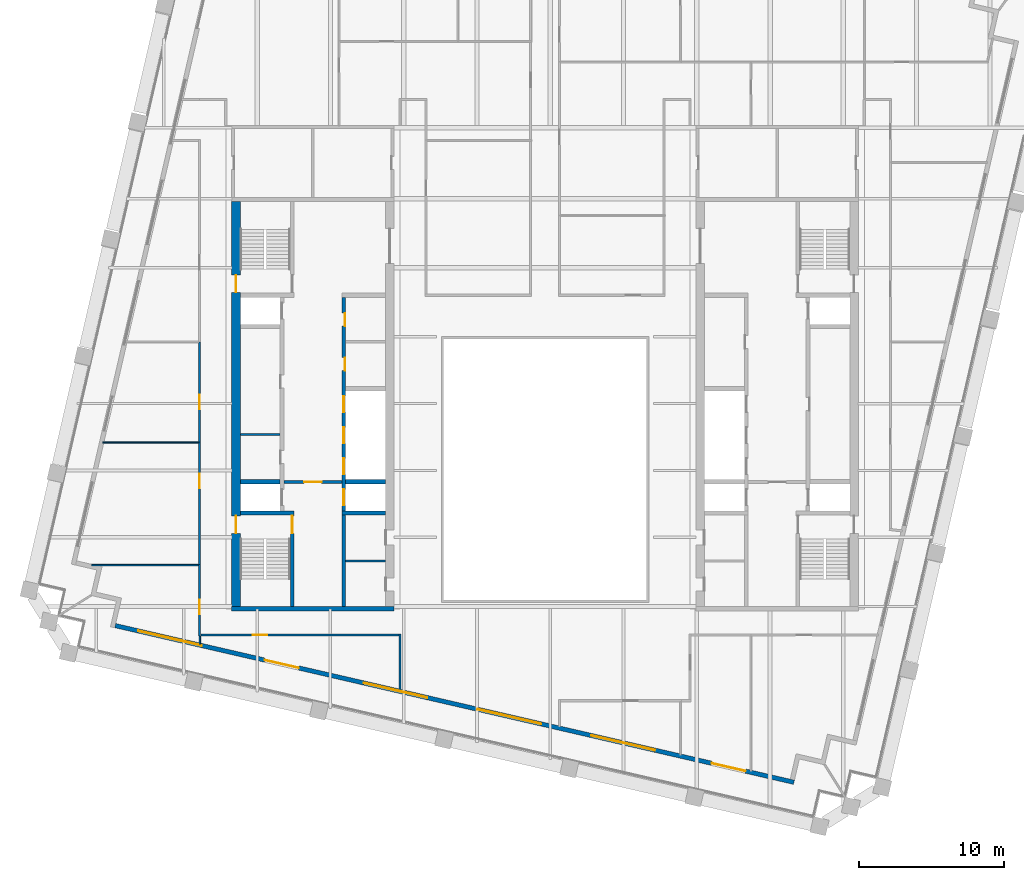
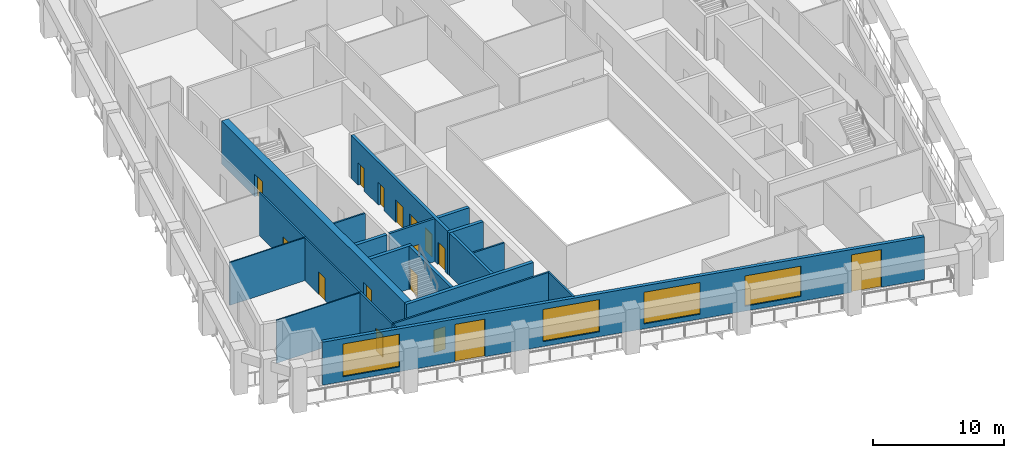
# One storey, part 4 of 10: 20 walls, 16 doors, 4 windows, 20 openings.
"""IFC4 building model written with IfcOpenShell, lengths in metres."""

import ifcopenshell
import ifcopenshell.guid

model = None  # the IFC model being written
_history = None  # IfcOwnerHistory: only IFC2X3 demands one
_inside = {}  # id of a spatial element -> (the spatial element, [elements in it])
_under = {}  # id of a project, library or spatial element -> (it, [spatial elements below it])
_declared = {}  # id of a project -> (the project, [libraries it declares])
_typed = {}  # id of a type object -> (the type object, [elements of that type])
_made_of = {}  # id of a material, layer set ... -> (it, [elements and type objects made of it])


def new_model(schema):
    """Start an empty IFC model of exactly this schema.

    Asked for "IFC4X3", IfcOpenShell would pick the latest addendum, in which some entities
    have other attributes; the version numbers below select the first issue.
    IFC2X3 requires an IfcOwnerHistory on every rooted entity: one is made here for all.
    """
    global model, _history
    if schema == "IFC4X3":
        model = ifcopenshell.file(schema_version=(4, 3, 0, 0))
    else:
        model = ifcopenshell.file(schema=schema)
    _inside.clear()
    _under.clear()
    _declared.clear()
    _typed.clear()
    _made_of.clear()
    _history = None
    if model.schema == "IFC2X3":
        org = make("IfcOrganization", Name="unknown")
        user = make(
            "IfcPersonAndOrganization",
            ThePerson=make("IfcPerson", FamilyName="unknown"),
            TheOrganization=org,
        )
        app = make(
            "IfcApplication",
            ApplicationDeveloper=org,
            Version="unknown",
            ApplicationFullName="unknown",
            ApplicationIdentifier="unknown",
        )
        _history = make(
            "IfcOwnerHistory",
            OwningUser=user,
            OwningApplication=app,
            ChangeAction="ADDED",
            CreationDate=0,
        )
    return model


def make(cls, **values):
    """One entity of the class cls with the attributes given. An attribute that is None is left unset."""
    return model.create_entity(
        cls, **{name: value for name, value in values.items() if value is not None}
    )


def rooted(cls, **values):
    """An entity with a GlobalId (a new one), such as an element, a storey or a relation."""
    return make(cls, GlobalId=ifcopenshell.guid.new(), OwnerHistory=_history, **values)


def si_unit(unit_type, name, prefix=None):
    """IfcSIUnit, for example si_unit("LENGTHUNIT", "METRE", prefix="MILLI")."""
    return make("IfcSIUnit", UnitType=unit_type, Prefix=prefix, Name=name)


def assignment(units):
    """IfcUnitAssignment: the units of a project."""
    return None if units is None else make("IfcUnitAssignment", Units=units)


def point(xyz):
    """IfcCartesianPoint."""
    return None if xyz is None else make("IfcCartesianPoint", Coordinates=xyz)


def direction(xyz):
    """IfcDirection."""
    return None if xyz is None else make("IfcDirection", DirectionRatios=xyz)


def frame(location, z_axis=None, x_axis=None):
    """IfcAxis2Placement3D, a coordinate frame: its origin and axes. An axis left out is left unset."""
    return make(
        "IfcAxis2Placement3D",
        Location=point(location),
        Axis=direction(z_axis),
        RefDirection=direction(x_axis),
    )


def frame_2d(location, x_axis=None):
    """IfcAxis2Placement2D, a coordinate frame in the plane: its origin and x axis."""
    return make(
        "IfcAxis2Placement2D", Location=point(location), RefDirection=direction(x_axis)
    )


def origin():
    """The frame at (0, 0, 0) with its axes left unset."""
    return frame((0.0, 0.0, 0.0))


def place(relative_to, where):
    """IfcLocalPlacement: puts the frame where relative to a parent placement (None: the world)."""
    return make(
        "IfcLocalPlacement", PlacementRelTo=relative_to, RelativePlacement=where
    )


def context(
    kind, dimensions, precision=None, world=None, true_north=None, identifier=None
):
    """IfcGeometricRepresentationContext, for example the 3D "Model" context."""
    return make(
        "IfcGeometricRepresentationContext",
        ContextIdentifier=identifier,
        ContextType=kind,
        CoordinateSpaceDimension=dimensions,
        Precision=precision,
        WorldCoordinateSystem=world,
        TrueNorth=true_north,
    )


def subcontext(parent, identifier, kind, view, scale=None):
    """IfcGeometricRepresentationSubContext, for example "Body" below "Model"."""
    return make(
        "IfcGeometricRepresentationSubContext",
        ContextIdentifier=identifier,
        ContextType=kind,
        ParentContext=parent,
        TargetScale=scale,
        TargetView=view,
    )


def project(units=None, contexts=None):
    """IfcProject with its units and contexts."""
    return rooted(
        "IfcProject",
        Name="project",
        RepresentationContexts=contexts,
        UnitsInContext=assignment(units),
    )


def spatial(cls, under=None, at=None, **own):
    """A site, building, storey or space (cls), placed at a placement, below another one or the project."""
    s = rooted(cls, ObjectPlacement=at, **own)
    if under is not None:
        _under.setdefault(under.id(), (under, []))[1].append(s)
    return s


def profile(cls, at=None, kind="AREA", **sizes):
    """A parametric profile (cls). Its sizes go by their IFC names, for example OverallWidth=200.0."""
    return make(cls, ProfileType=kind, Position=at, **sizes)


def rectangle(**sizes):
    """IfcRectangleProfileDef."""
    return profile("IfcRectangleProfileDef", **sizes)


def extrude(swept, where, along, depth):
    """IfcExtrudedAreaSolid: the profile swept, set in the frame where, extruded along a direction by depth."""
    return make(
        "IfcExtrudedAreaSolid",
        SweptArea=swept,
        Position=where,
        ExtrudedDirection=direction(along),
        Depth=depth,
    )


def shape(context_of_items, identifier, shape_type, items):
    """IfcShapeRepresentation: the items that make up one representation, for example the "Body"."""
    return make(
        "IfcShapeRepresentation",
        ContextOfItems=context_of_items,
        RepresentationIdentifier=identifier,
        RepresentationType=shape_type,
        Items=items,
    )


def material(Name=None, Category=None):
    """IfcMaterial."""
    return make("IfcMaterial", Name=Name, Category=Category)


def layer(
    of_material, thickness, ventilated=None, Name=None, Category=None, Priority=None
):
    """IfcMaterialLayer: one layer of a wall or slab, of a material (None: an air gap)."""
    return make(
        "IfcMaterialLayer",
        Material=of_material,
        LayerThickness=thickness,
        IsVentilated=ventilated,
        Name=Name,
        Category=Category,
        Priority=Priority,
    )


def layer_set(layers, Name=None):
    """IfcMaterialLayerSet."""
    return make("IfcMaterialLayerSet", MaterialLayers=layers, LayerSetName=Name)


def made_of(thing, what):
    """Note that an element or type object is made of a material, layer set ...; save() writes the relation."""
    if what is not None:
        _made_of.setdefault(what.id(), (what, []))[1].append(thing)
    return thing


def type_object(cls, material=None, **own):
    """A type object (cls), such as IfcWallType, which elements share."""
    return made_of(rooted(cls, **own), material)


def element(
    cls,
    number,
    at=None,
    inside=None,
    cuts=None,
    type_object=None,
    material=None,
    context=None,
    identifier="Body",
    shape_type=None,
    held_by="IfcProductDefinitionShape",
    body=None,
    shapes=None,
    **own,
):
    """One element of the class cls, such as IfcWall. Its Tag is "e" and its number.

    at: its placement. inside: the storey or other place that contains it. cuts: it is an
    opening in that element (IfcRelVoidsElement). A single representation is given by context,
    identifier, shape_type and body (its items); several are given by shapes. held_by: the class
    of the entity that holds the representations. save() writes the other relations.
    """
    e = rooted(cls, Tag="e%d" % number, ObjectPlacement=at, **own)
    if body is not None:
        shapes = [shape(context, identifier, shape_type, body)]
    if shapes is not None:
        e.Representation = make(held_by, Representations=shapes)
    if inside is not None:
        _inside.setdefault(inside.id(), (inside, []))[1].append(e)
    if cuts is not None:
        rooted(
            "IfcRelVoidsElement", RelatingBuildingElement=cuts, RelatedOpeningElement=e
        )
    if type_object is not None:
        _typed.setdefault(type_object.id(), (type_object, []))[1].append(e)
    return made_of(e, material)


def fill(opening, filler):
    """IfcRelFillsElement: the door or window that sits in an opening."""
    return rooted(
        "IfcRelFillsElement",
        RelatingOpeningElement=opening,
        RelatedBuildingElement=filler,
    )


def aggregate(whole, parts):
    """IfcRelAggregates: a whole, such as a stair, and the parts it consists of."""
    return rooted("IfcRelAggregates", RelatingObject=whole, RelatedObjects=parts)


def save(model, path):
    """Write the relations noted so far, then the file.

    IfcRelAggregates (storeys below a building ...), IfcRelContainedInSpatialStructure (elements
    in a storey), IfcRelDefinesByType, IfcRelAssociatesMaterial and IfcRelDeclares: one each for
    every whole, place, type object, material and project.
    """
    for whole, parts in _under.values():
        aggregate(whole, parts)
    for where, things in _inside.values():
        rooted(
            "IfcRelContainedInSpatialStructure",
            RelatedElements=things,
            RelatingStructure=where,
        )
    for kind, things in _typed.values():
        rooted("IfcRelDefinesByType", RelatedObjects=things, RelatingType=kind)
    for what, things in _made_of.values():
        rooted("IfcRelAssociatesMaterial", RelatedObjects=things, RelatingMaterial=what)
    for by, libraries in _declared.values():
        rooted("IfcRelDeclares", RelatingContext=by, RelatedDefinitions=libraries)
    model.write(path)


model = new_model("IFC4")

# Units and contexts
model_context = context("Model", 3, precision=1e-05, world=origin(), true_north=direction((0.0, 1.0)))
body_context = subcontext(model_context, "Body", "Model", "MODEL_VIEW")
ifc_project = project(units=[si_unit("LENGTHUNIT", "METRE"), si_unit("AREAUNIT", "SQUARE_METRE"), si_unit("VOLUMEUNIT", "CUBIC_METRE"), si_unit("PLANEANGLEUNIT", "RADIAN"), si_unit("MASSUNIT", "GRAM", prefix="KILO")], contexts=[model_context])

# Site, building, storey
site_placement = place(None, origin())
site = spatial("IfcSite", under=ifc_project, at=site_placement, CompositionType="ELEMENT")
building_placement = place(site_placement, origin())
building = spatial("IfcBuilding", under=site, at=building_placement, Name="Ogive Exchange Tower", CompositionType="ELEMENT")
storey_placement = place(building_placement, frame((0.0, 0.0, 272.39990234375)))
storey = spatial("IfcBuildingStorey", under=building, at=storey_placement, Name="L59", CompositionType="ELEMENT", Elevation=272.39990234375)

# Walls
ifc_material_1 = material(Name="Gypsum board partition")
ifc_layer_1 = layer(ifc_material_1, 0.14990234375)
ifc_layer_set_1 = layer_set([ifc_layer_1], Name="Core room partition 150 gypsum")
wall_type_1 = type_object("IfcWallType", Name="Core room partition 150 gypsum", PredefinedType="PARTITIONING", material=ifc_layer_set_1)
for number, where, z_axis, x_axis, name in (
    (1, (-21.0, 9.39990234375, 0.0), (0.0, 0.0, 1.0), (1.0, 0.0, 0.0), "W row A bay partition 1-1"),
    (2, (-13.75, 0.699951171875, 0.0), (0.0, 0.0, 1.0), (1.0, 0.0, 0.0), "W south room partition"),
):
    element("IfcWall", number, at=place(storey_placement, frame(where, z_axis=z_axis, x_axis=x_axis)), inside=storey, type_object=wall_type_1, Name=name, PredefinedType="PARTITIONING", context=body_context, shape_type="SweptSolid", body=[
        extrude(rectangle(XDim=2.75, YDim=0.14990234375, at=frame_2d((1.375, 0.0))), origin(), (0.0, 0.0, 1.0), 4.0),
    ])

# Wall, opening, door
ifc_material_2 = material(Name="Fire partition EI 60 150")
ifc_layer_2 = layer(ifc_material_2, 0.14990234375)
ifc_layer_set_2 = layer_set([ifc_layer_2], Name="Fire partition EI 60 150")
wall_type_2 = type_object("IfcWallType", Name="Fire partition EI 60 150", PredefinedType="PARTITIONING", material=ifc_layer_set_2)
wall_1_placement = place(storey_placement, frame((-23.800048828125, -4.47509765625, 0.0), z_axis=(0.0, 0.0, 1.0), x_axis=(0.0, 1.0, 0.0)))
wall_1 = element("IfcWall", 3, at=wall_1_placement, inside=storey, type_object=wall_type_2, Name="L59-PWL-002", PredefinedType="PARTITIONING", context=body_context, shape_type="SweptSolid", body=[
    extrude(rectangle(XDim=4.93505859375, YDim=0.14990234375, at=frame_2d((2.467529296875, 0.0))), origin(), (0.0, 0.0, 1.0), 4.0),
])
opening_1_placement = place(wall_1_placement, frame((1.485107421875, 0.0, 0.0)))
opening_1 = element("IfcOpeningElement", 4, at=opening_1_placement, cuts=wall_1, Name="Opening L59-I25", PredefinedType="OPENING", context=body_context, shape_type="SweptSolid", body=[
    extrude(rectangle(XDim=1.0, YDim=2.10009765625, at=frame_2d((0.5, 1.050048828125))), frame((0.0, 0.0849609375, 0.0), z_axis=(0.0, -1.0, 0.0), x_axis=(1.0, 0.0, 0.0)), (0.0, 0.0, 1.0), 0.169921875),
])
ifc_material_3 = material(Name="Fire door FD 30S 1000 x 2100")
door_type_1 = type_object("IfcDoorType", Name="Fire door FD 30S 1000 x 2100", OperationType="NOTDEFINED", PredefinedType="DOOR", material=ifc_material_3)
door_1_placement = place(opening_1_placement, origin())
door_1 = element("IfcDoor", 5, at=door_1_placement, inside=storey, type_object=door_type_1, Name="L59-IDR-025", ObjectType="DT3", OperationType="SINGLE_SWING_RIGHT", OverallHeight=2.10009765625, OverallWidth=1.0, PredefinedType="DOOR", context=body_context, shape_type="SweptSolid", body=[
    extrude(rectangle(XDim=1.0, YDim=2.10009765625, at=frame_2d((0.5, 1.050048828125))), frame((0.0, 0.02490234375, 0.0), z_axis=(0.0, -1.0, 0.0), x_axis=(1.0, 0.0, 0.0)), (0.0, 0.0, 1.0), 0.050048828125),
])
fill(opening_1, door_1)

wall_2_placement = place(storey_placement, frame((-23.800048828125, 0.409912109375, 0.0), z_axis=(0.0, 0.0, 1.0), x_axis=(0.0, 1.0, 0.0)))
wall_2 = element("IfcWall", 6, at=wall_2_placement, inside=storey, type_object=wall_type_2, Name="L59-PWL-004", PredefinedType="PARTITIONING", context=body_context, shape_type="SweptSolid", body=[
    extrude(rectangle(XDim=8.5, YDim=0.14990234375, at=frame_2d((4.25, 0.0))), origin(), (0.0, 0.0, 1.0), 4.0),
])
opening_2_placement = place(wall_2_placement, frame((5.300048828125, 0.0, 0.0)))
opening_2 = element("IfcOpeningElement", 7, at=opening_2_placement, cuts=wall_2, Name="Opening L59-I24", PredefinedType="OPENING", context=body_context, shape_type="SweptSolid", body=[
    extrude(rectangle(XDim=1.0, YDim=2.10009765625, at=frame_2d((0.5, 1.050048828125))), frame((0.0, 0.0849609375, 0.0), z_axis=(0.0, -1.0, 0.0), x_axis=(1.0, 0.0, 0.0)), (0.0, 0.0, 1.0), 0.169921875),
])
door_2_placement = place(opening_2_placement, origin())
door_2 = element("IfcDoor", 8, at=door_2_placement, inside=storey, type_object=door_type_1, Name="L59-IDR-024", ObjectType="DT3", OperationType="SINGLE_SWING_LEFT", OverallHeight=2.10009765625, OverallWidth=1.0, PredefinedType="DOOR", context=body_context, shape_type="SweptSolid", body=[
    extrude(rectangle(XDim=1.0, YDim=2.10009765625, at=frame_2d((0.5, 1.050048828125))), frame((0.0, 0.02490234375, 0.0), z_axis=(0.0, -1.0, 0.0), x_axis=(1.0, 0.0, 0.0)), (0.0, 0.0, 1.0), 0.050048828125),
])
fill(opening_2, door_2)

wall_3_placement = place(storey_placement, frame((-23.800048828125, 8.909912109375, 0.0), z_axis=(0.0, 0.0, 1.0), x_axis=(0.0, 1.0, 0.0)))
wall_3 = element("IfcWall", 9, at=wall_3_placement, inside=storey, type_object=wall_type_2, Name="L59-PWL-006", PredefinedType="PARTITIONING", context=body_context, shape_type="SweptSolid", body=[
    extrude(rectangle(XDim=6.880126953125, YDim=0.14990234375, at=frame_2d((3.43994140625, 0.0))), origin(), (0.0, 0.0, 1.0), 4.0),
])
opening_3_placement = place(wall_3_placement, frame((2.22998046875, 0.0, 0.0)))
opening_3 = element("IfcOpeningElement", 10, at=opening_3_placement, cuts=wall_3, Name="Opening L59-I23", PredefinedType="OPENING", context=body_context, shape_type="SweptSolid", body=[
    extrude(rectangle(XDim=1.0, YDim=2.10009765625, at=frame_2d((0.5, 1.050048828125))), frame((0.0, 0.0849609375, 0.0), z_axis=(0.0, -1.0, 0.0), x_axis=(1.0, 0.0, 0.0)), (0.0, 0.0, 1.0), 0.169921875),
])
door_3_placement = place(opening_3_placement, origin())
door_3 = element("IfcDoor", 11, at=door_3_placement, inside=storey, type_object=door_type_1, Name="L59-IDR-023", ObjectType="DT3", OperationType="SINGLE_SWING_RIGHT", OverallHeight=2.10009765625, OverallWidth=1.0, PredefinedType="DOOR", context=body_context, shape_type="SweptSolid", body=[
    extrude(rectangle(XDim=1.0, YDim=2.10009765625, at=frame_2d((0.5, 1.050048828125))), frame((0.0, 0.02490234375, 0.0), z_axis=(0.0, -1.0, 0.0), x_axis=(1.0, 0.0, 0.0)), (0.0, 0.0, 1.0), 0.050048828125),
])
fill(opening_3, door_3)

# Wall
wall_4_placement = place(storey_placement, frame((-10.0, -8.216064453125, 0.0), z_axis=(0.0, 0.0, 1.0), x_axis=(0.0, 1.0, 0.0)))
element("IfcWall", 12, at=wall_4_placement, inside=storey, type_object=wall_type_2, Name="L59-PWL-020", PredefinedType="PARTITIONING", context=body_context, shape_type="SweptSolid", body=[
    extrude(rectangle(XDim=3.89111328125, YDim=0.14990234375, at=frame_2d((1.945556640625, 0.0))), origin(), (0.0, 0.0, 1.0), 4.0),
])

# Wall, opening, door
wall_5_placement = place(storey_placement, frame((-10.074951171875, -4.39990234375, 0.0), z_axis=(0.0, 0.0, 1.0), x_axis=(-1.0, 0.0, 0.0)))
wall_5 = element("IfcWall", 13, at=wall_5_placement, inside=storey, type_object=wall_type_2, Name="L59-PWL-021", PredefinedType="PARTITIONING", context=body_context, shape_type="SweptSolid", body=[
    extrude(rectangle(XDim=13.64013671875, YDim=0.14990234375, at=frame_2d((6.820068359375, 0.0))), origin(), (0.0, 0.0, 1.0), 4.0),
])
opening_4_placement = place(wall_5_placement, frame((9.06494140625, 0.0, 0.0)))
opening_4 = element("IfcOpeningElement", 14, at=opening_4_placement, cuts=wall_5, Name="Opening L59-I14", PredefinedType="OPENING", context=body_context, shape_type="SweptSolid", body=[
    extrude(rectangle(XDim=1.0, YDim=2.10009765625, at=frame_2d((0.5, 1.050048828125))), frame((0.0, 0.0849609375, 0.0), z_axis=(0.0, -1.0, 0.0), x_axis=(1.0, 0.0, 0.0)), (0.0, 0.0, 1.0), 0.169921875),
])
door_4_placement = place(opening_4_placement, origin())
door_4 = element("IfcDoor", 15, at=door_4_placement, inside=storey, type_object=door_type_1, Name="L59-IDR-014", ObjectType="DT3", OperationType="SINGLE_SWING_LEFT", OverallHeight=2.10009765625, OverallWidth=1.0, PredefinedType="DOOR", context=body_context, shape_type="SweptSolid", body=[
    extrude(rectangle(XDim=1.0, YDim=2.10009765625, at=frame_2d((0.5, 1.050048828125))), frame((0.0, 0.02490234375, 0.0), z_axis=(0.0, -1.0, 0.0), x_axis=(1.0, 0.0, 0.0)), (0.0, 0.0, 1.0), 0.050048828125),
])
fill(opening_4, door_4)

# Wall, openings, doors, windows
ifc_material_4 = material(Name="Precast concrete C40/50", Category="concrete")
ifc_layer_3 = layer(ifc_material_4, 0.300048828125)
ifc_layer_set_3 = layer_set([ifc_layer_3], Name="Limestone-faced wall 300")
wall_type_3 = type_object("IfcWallType", Name="Limestone-faced wall 300", PredefinedType="STANDARD", material=ifc_layer_set_3)
wall_6_placement = place(storey_placement, frame((-29.6162109375, -3.75830078125, 0.0), z_axis=(0.0, 0.0, 1.0), x_axis=(0.974370532314, -0.224949029246, 0.0)))
wall_6 = element("IfcWall", 16, at=wall_6_placement, inside=storey, type_object=wall_type_3, Name="External wall S1", PredefinedType="STANDARD", context=body_context, shape_type="SweptSolid", body=[
    extrude(rectangle(XDim=48.000244140625, YDim=0.300048828125, at=frame_2d((24.0, 0.0))), origin(), (0.0, 0.0, 1.0), 4.0),
])
opening_5_placement = place(wall_6_placement, frame((1.625, 0.0, 0.449951171875)))
opening_5 = element("IfcOpeningElement", 17, at=opening_5_placement, cuts=wall_6, Name="Opening W1", PredefinedType="OPENING", context=body_context, shape_type="SweptSolid", body=[
    extrude(rectangle(XDim=4.5, YDim=3.050048828125, at=frame_2d((2.25, 1.52490234375))), frame((0.0, 0.159912109375, 0.0), z_axis=(0.0, -1.0, 0.0), x_axis=(1.0, 0.0, 0.0)), (0.0, 0.0, 1.0), 0.320068359375),
])
opening_6_placement = place(wall_6_placement, frame((10.574951171875, 0.0, 0.0)))
opening_6 = element("IfcOpeningElement", 18, at=opening_6_placement, cuts=wall_6, Name="Opening D1", PredefinedType="OPENING", context=body_context, shape_type="SweptSolid", body=[
    extrude(rectangle(XDim=2.39990234375, YDim=3.5, at=frame_2d((1.199951171875, 1.75))), frame((0.0, 0.159912109375, 0.0), z_axis=(0.0, -1.0, 0.0), x_axis=(1.0, 0.0, 0.0)), (0.0, 0.0, 1.0), 0.320068359375),
])
opening_7_placement = place(wall_6_placement, frame((17.574951171875, 0.0, 0.449951171875)))
opening_7 = element("IfcOpeningElement", 19, at=opening_7_placement, cuts=wall_6, Name="Opening W1A", PredefinedType="OPENING", context=body_context, shape_type="SweptSolid", body=[
    extrude(rectangle(XDim=4.5, YDim=3.0, at=frame_2d((2.25, 1.5))), frame((0.0, 0.159912109375, 0.0), z_axis=(0.0, -1.0, 0.0), x_axis=(1.0, 0.0, 0.0)), (0.0, 0.0, 1.0), 0.320068359375),
])
opening_8_placement = place(wall_6_placement, frame((25.625, 0.0, 0.449951171875)))
opening_8 = element("IfcOpeningElement", 20, at=opening_8_placement, cuts=wall_6, Name="Opening W1B", PredefinedType="OPENING", context=body_context, shape_type="SweptSolid", body=[
    extrude(rectangle(XDim=4.5, YDim=2.949951171875, at=frame_2d((2.25, 1.47509765625))), frame((0.0, 0.159912109375, 0.0), z_axis=(0.0, -1.0, 0.0), x_axis=(1.0, 0.0, 0.0)), (0.0, 0.0, 1.0), 0.320068359375),
])
opening_9_placement = place(wall_6_placement, frame((33.675048828125, 0.0, 0.449951171875)))
opening_9 = element("IfcOpeningElement", 21, at=opening_9_placement, cuts=wall_6, Name="Opening W1E", PredefinedType="OPENING", context=body_context, shape_type="SweptSolid", body=[
    extrude(rectangle(XDim=4.5, YDim=2.824951171875, at=frame_2d((2.25, 1.41259765625))), frame((0.0, 0.159912109375, 0.0), z_axis=(0.0, -1.0, 0.0), x_axis=(1.0, 0.0, 0.0)), (0.0, 0.0, 1.0), 0.320068359375),
])
opening_10_placement = place(wall_6_placement, frame((42.175048828125, 0.0, 0.0)))
opening_10 = element("IfcOpeningElement", 22, at=opening_10_placement, cuts=wall_6, Name="Opening D1", PredefinedType="OPENING", context=body_context, shape_type="SweptSolid", body=[
    extrude(rectangle(XDim=2.39990234375, YDim=3.5, at=frame_2d((1.199951171875, 1.75))), frame((0.0, 0.159912109375, 0.0), z_axis=(0.0, -1.0, 0.0), x_axis=(1.0, 0.0, 0.0)), (0.0, 0.0, 1.0), 0.320068359375),
])
ifc_material_5 = material(Name="Clear glass in bronze frame", Category="glass")
door_type_2 = type_object("IfcDoorType", Name="Sliding loggia door 2400 x 3500", OperationType="DOUBLE_DOOR_SLIDING", PredefinedType="DOOR", material=ifc_material_5)
door_5_placement = place(opening_6_placement, origin())
door_5 = element("IfcDoor", 23, at=door_5_placement, inside=storey, type_object=door_type_2, Name="Loggia door S01", OperationType="DOUBLE_DOOR_SLIDING", OverallHeight=3.5, OverallWidth=2.39990234375, PredefinedType="DOOR", context=body_context, shape_type="SweptSolid", body=[
    extrude(rectangle(XDim=2.39990234375, YDim=3.5, at=frame_2d((1.199951171875, 1.75))), frame((0.0, 0.02490234375, 0.0), z_axis=(0.0, -1.0, 0.0), x_axis=(1.0, 0.0, 0.0)), (0.0, 0.0, 1.0), 0.050048828125),
])
fill(opening_6, door_5)
door_6_placement = place(opening_10_placement, origin())
door_6 = element("IfcDoor", 24, at=door_6_placement, inside=storey, type_object=door_type_2, Name="Loggia door S05", OperationType="DOUBLE_DOOR_SLIDING", OverallHeight=3.5, OverallWidth=2.39990234375, PredefinedType="DOOR", context=body_context, shape_type="SweptSolid", body=[
    extrude(rectangle(XDim=2.39990234375, YDim=3.5, at=frame_2d((1.199951171875, 1.75))), frame((0.0, 0.02490234375, 0.0), z_axis=(0.0, -1.0, 0.0), x_axis=(1.0, 0.0, 0.0)), (0.0, 0.0, 1.0), 0.050048828125),
])
fill(opening_10, door_6)
window_type_1 = type_object("IfcWindowType", Name="Twin lancet window 4500 x 2825", PartitioningType="DOUBLE_PANEL_VERTICAL", PredefinedType="WINDOW", material=ifc_material_5)
window_1_placement = place(opening_9_placement, origin())
window_1 = element("IfcWindow", 25, at=window_1_placement, inside=storey, type_object=window_type_1, Name="Window S04", OverallHeight=2.824951171875, OverallWidth=4.5, PartitioningType="DOUBLE_PANEL_VERTICAL", PredefinedType="WINDOW", context=body_context, shape_type="SweptSolid", body=[
    extrude(rectangle(XDim=4.5, YDim=2.824951171875, at=frame_2d((2.25, 1.41259765625))), frame((0.0, 0.030029296875, 0.0), z_axis=(0.0, -1.0, 0.0), x_axis=(1.0, 0.0, 0.0)), (0.0, 0.0, 1.0), 0.06005859375),
])
fill(opening_9, window_1)
window_type_2 = type_object("IfcWindowType", Name="Twin lancet window 4500 x 2950", PartitioningType="DOUBLE_PANEL_VERTICAL", PredefinedType="WINDOW", material=ifc_material_5)
window_2_placement = place(opening_8_placement, origin())
window_2 = element("IfcWindow", 26, at=window_2_placement, inside=storey, type_object=window_type_2, Name="Window S03", OverallHeight=2.949951171875, OverallWidth=4.5, PartitioningType="DOUBLE_PANEL_VERTICAL", PredefinedType="WINDOW", context=body_context, shape_type="SweptSolid", body=[
    extrude(rectangle(XDim=4.5, YDim=2.949951171875, at=frame_2d((2.25, 1.47509765625))), frame((0.0, 0.030029296875, 0.0), z_axis=(0.0, -1.0, 0.0), x_axis=(1.0, 0.0, 0.0)), (0.0, 0.0, 1.0), 0.06005859375),
])
fill(opening_8, window_2)
window_type_3 = type_object("IfcWindowType", Name="Twin lancet window 4500 x 3000", PartitioningType="DOUBLE_PANEL_VERTICAL", PredefinedType="WINDOW", material=ifc_material_5)
window_3_placement = place(opening_7_placement, origin())
window_3 = element("IfcWindow", 27, at=window_3_placement, inside=storey, type_object=window_type_3, Name="Window S02", OverallHeight=3.0, OverallWidth=4.5, PartitioningType="DOUBLE_PANEL_VERTICAL", PredefinedType="WINDOW", context=body_context, shape_type="SweptSolid", body=[
    extrude(rectangle(XDim=4.5, YDim=3.0, at=frame_2d((2.25, 1.5))), frame((0.0, 0.030029296875, 0.0), z_axis=(0.0, -1.0, 0.0), x_axis=(1.0, 0.0, 0.0)), (0.0, 0.0, 1.0), 0.06005859375),
])
fill(opening_7, window_3)
window_type_4 = type_object("IfcWindowType", Name="Twin lancet window 4500 x 3050", PartitioningType="DOUBLE_PANEL_VERTICAL", PredefinedType="WINDOW", material=ifc_material_5)
window_4_placement = place(opening_5_placement, origin())
window_4 = element("IfcWindow", 28, at=window_4_placement, inside=storey, type_object=window_type_4, Name="Window S00", OverallHeight=3.050048828125, OverallWidth=4.5, PartitioningType="DOUBLE_PANEL_VERTICAL", PredefinedType="WINDOW", context=body_context, shape_type="SweptSolid", body=[
    extrude(rectangle(XDim=4.5, YDim=3.050048828125, at=frame_2d((2.25, 1.52490234375))), frame((0.0, 0.030029296875, 0.0), z_axis=(0.0, -1.0, 0.0), x_axis=(1.0, 0.0, 0.0)), (0.0, 0.0, 1.0), 0.06005859375),
])
fill(opening_5, window_4)

# Walls
ifc_material_6 = material(Name="Partition 100 gypsum")
ifc_layer_4 = layer(ifc_material_6, 0.10009765625)
ifc_layer_set_4 = layer_set([ifc_layer_4], Name="Partition 100 gypsum")
wall_type_4 = type_object("IfcWallType", Name="Partition 100 gypsum", PredefinedType="PARTITIONING", material=ifc_layer_set_4)
wall_7_placement = place(storey_placement, frame((-23.875, 0.409912109375, 0.0), z_axis=(0.0, 0.0, 1.0), x_axis=(-1.0, 0.0, 0.0)))
element("IfcWall", 29, at=wall_7_placement, inside=storey, type_object=wall_type_4, Name="L59-PWL-003", PredefinedType="PARTITIONING", context=body_context, shape_type="SweptSolid", body=[
    extrude(rectangle(XDim=7.3701171875, YDim=0.10009765625, at=frame_2d((3.68505859375, 0.0))), origin(), (0.0, 0.0, 1.0), 4.0),
])
wall_8_placement = place(storey_placement, frame((-23.875, 8.860107421875, 0.0), z_axis=(0.0, 0.0, 1.0), x_axis=(-1.0, 0.0, 0.0)))
element("IfcWall", 30, at=wall_8_placement, inside=storey, type_object=wall_type_4, Name="L59-PWL-005", PredefinedType="PARTITIONING", context=body_context, shape_type="SweptSolid", body=[
    extrude(rectangle(XDim=6.60498046875, YDim=0.10009765625, at=frame_2d((3.302490234375, 0.0))), origin(), (0.0, 0.0, 1.0), 4.0),
])
wall_9_placement = place(storey_placement, frame((-23.7900390625, -5.031982421875, 0.0), z_axis=(0.0, 0.0, 1.0), x_axis=(0.0, 1.0, 0.0)))
element("IfcWall", 31, at=wall_9_placement, inside=storey, type_object=wall_type_4, Name="L59-PWL-011", PredefinedType="PARTITIONING", context=body_context, shape_type="SweptSolid", body=[
    extrude(rectangle(XDim=0.556884765625, YDim=0.10009765625, at=frame_2d((0.2783203125, 0.0))), origin(), (0.0, 0.0, 1.0), 4.0),
])

# Wall, opening, door
ifc_material_7 = material(Name="Concrete C70/85", Category="concrete")
ifc_layer_5 = layer(ifc_material_7, 0.199951171875)
ifc_layer_set_5 = layer_set([ifc_layer_5], Name="RC core wall 200 C70/85")
wall_type_5 = type_object("IfcWallType", Name="RC core wall 200 C70/85", PredefinedType="SHEAR", material=ifc_layer_set_5)
wall_10_placement = place(storey_placement, frame((-18.0, 6.142822265625, 0.0), z_axis=(0.0, 0.0, 1.0), x_axis=(1.0, 0.0, 0.0)))
wall_10 = element("IfcWall", 32, at=wall_10_placement, inside=storey, type_object=wall_type_5, Name="W firefighting lobby wall", PredefinedType="SHEAR", context=body_context, shape_type="SweptSolid", body=[
    extrude(rectangle(XDim=4.0, YDim=0.199951171875, at=frame_2d((2.0, 0.0))), origin(), (0.0, 0.0, 1.0), 4.0),
])
opening_11_placement = place(wall_10_placement, frame((1.39990234375, 0.0, 0.0)))
opening_11 = element("IfcOpeningElement", 33, at=opening_11_placement, cuts=wall_10, Name="Opening L59-C11", PredefinedType="OPENING", context=body_context, shape_type="SweptSolid", body=[
    extrude(rectangle(XDim=1.199951171875, YDim=2.10009765625, at=frame_2d((0.60009765625, 1.050048828125))), frame((0.0, 0.10986328125, 0.0), z_axis=(0.0, -1.0, 0.0), x_axis=(1.0, 0.0, 0.0)), (0.0, 0.0, 1.0), 0.219970703125),
])
ifc_material_8 = material(Name="Steel fire door", Category="steel")
door_type_3 = type_object("IfcDoorType", Name="Firefighting lobby door FD60 1200 x 2100", OperationType="NOTDEFINED", PredefinedType="DOOR", material=ifc_material_8)
door_7_placement = place(opening_11_placement, frame((1.199951171875, 0.0, 0.0), z_axis=(0.0, 0.0, 1.0), x_axis=(-1.0, 0.0, 0.0)))
door_7 = element("IfcDoor", 34, at=door_7_placement, inside=storey, type_object=door_type_3, Name="Firefighting lobby door", ObjectType="CD3", OperationType="SINGLE_SWING_LEFT", OverallHeight=2.10009765625, OverallWidth=1.199951171875, PredefinedType="DOOR", context=body_context, shape_type="SweptSolid", body=[
    extrude(rectangle(XDim=1.199951171875, YDim=2.10009765625, at=frame_2d((0.60009765625, 1.050048828125))), frame((0.0, 0.02490234375, 0.0), z_axis=(0.0, -1.0, 0.0), x_axis=(1.0, 0.0, 0.0)), (0.0, 0.0, 1.0), 0.050048828125),
])
fill(opening_11, door_7)

ifc_layer_6 = layer(ifc_material_7, 0.25)
ifc_layer_set_6 = layer_set([ifc_layer_6], Name="RC core wall 250 C70/85")
wall_type_6 = type_object("IfcWallType", Name="RC core wall 250 C70/85", PredefinedType="SHEAR", material=ifc_layer_set_6)
wall_11_placement = place(storey_placement, frame((-17.425048828125, -2.449951171875, 0.0), z_axis=(0.0, 0.0, 1.0), x_axis=(0.0, 1.0, 0.0)))
wall_11 = element("IfcWall", 35, at=wall_11_placement, inside=storey, type_object=wall_type_6, Name="W stair S front wall", PredefinedType="SHEAR", context=body_context, shape_type="SweptSolid", body=[
    extrude(rectangle(XDim=6.300048828125, YDim=0.25, at=frame_2d((3.14990234375, 0.0))), origin(), (0.0, 0.0, 1.0), 4.0),
])
opening_12_placement = place(wall_11_placement, frame((5.050048828125, 0.0, 0.0)))
opening_12 = element("IfcOpeningElement", 36, at=opening_12_placement, cuts=wall_11, Name="Opening L59-C13", PredefinedType="OPENING", context=body_context, shape_type="SweptSolid", body=[
    extrude(rectangle(XDim=1.199951171875, YDim=2.10009765625, at=frame_2d((0.60009765625, 1.050048828125))), frame((0.0, 0.135009765625, 0.0), z_axis=(0.0, -1.0, 0.0), x_axis=(1.0, 0.0, 0.0)), (0.0, 0.0, 1.0), 0.27001953125),
])
door_type_4 = type_object("IfcDoorType", Name="Stair door FD90 1200 x 2100", OperationType="NOTDEFINED", PredefinedType="DOOR", material=ifc_material_8)
door_8_placement = place(opening_12_placement, origin())
door_8 = element("IfcDoor", 37, at=door_8_placement, inside=storey, type_object=door_type_4, Name="Stair door", ObjectType="CD5", OperationType="SINGLE_SWING_LEFT", OverallHeight=2.10009765625, OverallWidth=1.199951171875, PredefinedType="DOOR", context=body_context, shape_type="SweptSolid", body=[
    extrude(rectangle(XDim=1.199951171875, YDim=2.10009765625, at=frame_2d((0.60009765625, 1.050048828125))), frame((0.0, 0.02490234375, 0.0), z_axis=(0.0, -1.0, 0.0), x_axis=(1.0, 0.0, 0.0)), (0.0, 0.0, 1.0), 0.050048828125),
])
fill(opening_12, door_8)

# Wall, openings, doors
wall_12_placement = place(storey_placement, frame((-13.875, -2.449951171875, 0.0), z_axis=(0.0, 0.0, 1.0), x_axis=(0.0, 1.0, 0.0)))
wall_12 = element("IfcWall", 38, at=wall_12_placement, inside=storey, type_object=wall_type_6, Name="W row B front wall", PredefinedType="SHEAR", context=body_context, shape_type="SweptSolid", body=[
    extrude(rectangle(XDim=21.300048828125, YDim=0.25, at=frame_2d((10.64990234375, 0.0))), origin(), (0.0, 0.0, 1.0), 4.0),
])
opening_13_placement = place(wall_12_placement, frame((16.2607421875, 0.0, 0.0)))
opening_13 = element("IfcOpeningElement", 39, at=opening_13_placement, cuts=wall_12, Name="Opening L59-C05", PredefinedType="OPENING", context=body_context, shape_type="SweptSolid", body=[
    extrude(rectangle(XDim=0.89990234375, YDim=2.10009765625, at=frame_2d((0.449951171875, 1.050048828125))), frame((0.0, 0.135009765625, 0.0), z_axis=(0.0, -1.0, 0.0), x_axis=(1.0, 0.0, 0.0)), (0.0, 0.0, 1.0), 0.27001953125),
])
opening_14_placement = place(wall_12_placement, frame((19.324951171875, 0.0, 0.0)))
opening_14 = element("IfcOpeningElement", 40, at=opening_14_placement, cuts=wall_12, Name="Opening L59-C06", PredefinedType="OPENING", context=body_context, shape_type="SweptSolid", body=[
    extrude(rectangle(XDim=0.89990234375, YDim=2.10009765625, at=frame_2d((0.449951171875, 1.050048828125))), frame((0.0, 0.135009765625, 0.0), z_axis=(0.0, -1.0, 0.0), x_axis=(1.0, 0.0, 0.0)), (0.0, 0.0, 1.0), 0.27001953125),
])
opening_15_placement = place(wall_12_placement, frame((6.971435546875, 0.0, 0.0)))
opening_15 = element("IfcOpeningElement", 41, at=opening_15_placement, cuts=wall_12, Name="Opening L59-C07", PredefinedType="OPENING", context=body_context, shape_type="SweptSolid", body=[
    extrude(rectangle(XDim=1.10009765625, YDim=2.10009765625, at=frame_2d((0.550048828125, 1.050048828125))), frame((0.0, 0.135009765625, 0.0), z_axis=(0.0, -1.0, 0.0), x_axis=(1.0, 0.0, 0.0)), (0.0, 0.0, 1.0), 0.27001953125),
])
opening_16_placement = place(wall_12_placement, frame((9.1142578125, 0.0, 0.0)))
opening_16 = element("IfcOpeningElement", 42, at=opening_16_placement, cuts=wall_12, Name="Opening L59-C08", PredefinedType="OPENING", context=body_context, shape_type="SweptSolid", body=[
    extrude(rectangle(XDim=1.10009765625, YDim=2.10009765625, at=frame_2d((0.550048828125, 1.050048828125))), frame((0.0, 0.135009765625, 0.0), z_axis=(0.0, -1.0, 0.0), x_axis=(1.0, 0.0, 0.0)), (0.0, 0.0, 1.0), 0.27001953125),
])
opening_17_placement = place(wall_12_placement, frame((11.257080078125, 0.0, 0.0)))
opening_17 = element("IfcOpeningElement", 43, at=opening_17_placement, cuts=wall_12, Name="Opening L59-C09", PredefinedType="OPENING", context=body_context, shape_type="SweptSolid", body=[
    extrude(rectangle(XDim=1.10009765625, YDim=2.10009765625, at=frame_2d((0.550048828125, 1.050048828125))), frame((0.0, 0.135009765625, 0.0), z_axis=(0.0, -1.0, 0.0), x_axis=(1.0, 0.0, 0.0)), (0.0, 0.0, 1.0), 0.27001953125),
])
opening_18_placement = place(wall_12_placement, frame((13.39990234375, 0.0, 0.0)))
opening_18 = element("IfcOpeningElement", 44, at=opening_18_placement, cuts=wall_12, Name="Opening L59-C10", PredefinedType="OPENING", context=body_context, shape_type="SweptSolid", body=[
    extrude(rectangle(XDim=1.10009765625, YDim=2.10009765625, at=frame_2d((0.550048828125, 1.050048828125))), frame((0.0, 0.135009765625, 0.0), z_axis=(0.0, -1.0, 0.0), x_axis=(1.0, 0.0, 0.0)), (0.0, 0.0, 1.0), 0.27001953125),
])
ifc_material_9 = material(Name="Stainless steel", Category="steel")
door_type_5 = type_object("IfcDoorType", Name="Lift landing door FD90 1100 x 2100", OperationType="SLIDING_TO_LEFT", PredefinedType="DOOR", material=ifc_material_9)
door_9_placement = place(opening_15_placement, origin())
door_9 = element("IfcDoor", 45, at=door_9_placement, inside=storey, type_object=door_type_5, Name="Lift landing door SV1", ObjectType="LD", OperationType="SLIDING_TO_LEFT", OverallHeight=2.10009765625, OverallWidth=1.10009765625, PredefinedType="DOOR", context=body_context, shape_type="SweptSolid", body=[
    extrude(rectangle(XDim=1.10009765625, YDim=2.10009765625, at=frame_2d((0.550048828125, 1.050048828125))), frame((0.0, 0.02490234375, 0.0), z_axis=(0.0, -1.0, 0.0), x_axis=(1.0, 0.0, 0.0)), (0.0, 0.0, 1.0), 0.050048828125),
])
fill(opening_15, door_9)
door_10_placement = place(opening_16_placement, origin())
door_10 = element("IfcDoor", 46, at=door_10_placement, inside=storey, type_object=door_type_5, Name="Lift landing door W-M1", ObjectType="LD", OperationType="SLIDING_TO_LEFT", OverallHeight=2.10009765625, OverallWidth=1.10009765625, PredefinedType="DOOR", context=body_context, shape_type="SweptSolid", body=[
    extrude(rectangle(XDim=1.10009765625, YDim=2.10009765625, at=frame_2d((0.550048828125, 1.050048828125))), frame((0.0, 0.02490234375, 0.0), z_axis=(0.0, -1.0, 0.0), x_axis=(1.0, 0.0, 0.0)), (0.0, 0.0, 1.0), 0.050048828125),
])
fill(opening_16, door_10)
door_11_placement = place(opening_17_placement, origin())
door_11 = element("IfcDoor", 47, at=door_11_placement, inside=storey, type_object=door_type_5, Name="Lift landing door W-M2", ObjectType="LD", OperationType="SLIDING_TO_LEFT", OverallHeight=2.10009765625, OverallWidth=1.10009765625, PredefinedType="DOOR", context=body_context, shape_type="SweptSolid", body=[
    extrude(rectangle(XDim=1.10009765625, YDim=2.10009765625, at=frame_2d((0.550048828125, 1.050048828125))), frame((0.0, 0.02490234375, 0.0), z_axis=(0.0, -1.0, 0.0), x_axis=(1.0, 0.0, 0.0)), (0.0, 0.0, 1.0), 0.050048828125),
])
fill(opening_17, door_11)
door_12_placement = place(opening_18_placement, origin())
door_12 = element("IfcDoor", 48, at=door_12_placement, inside=storey, type_object=door_type_5, Name="Lift landing door W-M3", ObjectType="LD", OperationType="SLIDING_TO_LEFT", OverallHeight=2.10009765625, OverallWidth=1.10009765625, PredefinedType="DOOR", context=body_context, shape_type="SweptSolid", body=[
    extrude(rectangle(XDim=1.10009765625, YDim=2.10009765625, at=frame_2d((0.550048828125, 1.050048828125))), frame((0.0, 0.02490234375, 0.0), z_axis=(0.0, -1.0, 0.0), x_axis=(1.0, 0.0, 0.0)), (0.0, 0.0, 1.0), 0.050048828125),
])
fill(opening_18, door_12)
door_type_6 = type_object("IfcDoorType", Name="Riser door FD60 900 x 2100", OperationType="NOTDEFINED", PredefinedType="DOOR", material=ifc_material_8)
door_13_placement = place(opening_13_placement, frame((0.89990234375, -0.2001953125, 0.0), z_axis=(0.0, 0.0, 1.0), x_axis=(-1.0, 0.0, 0.0)))
door_13 = element("IfcDoor", 49, at=door_13_placement, inside=storey, type_object=door_type_6, Name="Riser door", ObjectType="CD2", OperationType="SINGLE_SWING_LEFT", OverallHeight=2.10009765625, OverallWidth=0.89990234375, PredefinedType="DOOR", context=body_context, shape_type="SweptSolid", body=[
    extrude(rectangle(XDim=0.89990234375, YDim=2.10009765625, at=frame_2d((0.449951171875, 1.050048828125))), frame((0.0, -0.0751953125, 0.0), z_axis=(0.0, -1.0, 0.0), x_axis=(1.0, 0.0, 0.0)), (0.0, 0.0, 1.0), 0.050048828125),
])
fill(opening_13, door_13)
door_14_placement = place(opening_14_placement, frame((0.89990234375, -0.2001953125, 0.0), z_axis=(0.0, 0.0, 1.0), x_axis=(-1.0, 0.0, 0.0)))
door_14 = element("IfcDoor", 50, at=door_14_placement, inside=storey, type_object=door_type_6, Name="Riser door", ObjectType="CD2", OperationType="SINGLE_SWING_LEFT", OverallHeight=2.10009765625, OverallWidth=0.89990234375, PredefinedType="DOOR", context=body_context, shape_type="SweptSolid", body=[
    extrude(rectangle(XDim=0.89990234375, YDim=2.10009765625, at=frame_2d((0.449951171875, 1.050048828125))), frame((0.0, -0.0751953125, 0.0), z_axis=(0.0, -1.0, 0.0), x_axis=(1.0, 0.0, 0.0)), (0.0, 0.0, 1.0), 0.050048828125),
])
fill(opening_14, door_14)

# Walls
ifc_layer_7 = layer(ifc_material_7, 0.300048828125)
ifc_layer_set_7 = layer_set([ifc_layer_7], Name="RC core wall 300 C70/85")
wall_type_7 = type_object("IfcWallType", Name="RC core wall 300 C70/85", PredefinedType="SHEAR", material=ifc_layer_set_7)
wall_13_placement = place(storey_placement, frame((-21.60009765625, -2.60009765625, 0.0), z_axis=(0.0, 0.0, 1.0), x_axis=(1.0, 0.0, 0.0)))
element("IfcWall", 51, at=wall_13_placement, inside=storey, type_object=wall_type_7, Name="W south end wall", PredefinedType="SHEAR", context=body_context, shape_type="SweptSolid", body=[
    extrude(rectangle(XDim=11.2001953125, YDim=0.300048828125, at=frame_2d((5.60009765625, 0.0))), origin(), (0.0, 0.0, 1.0), 4.0),
])
wall_14_placement = place(storey_placement, frame((-21.0, 4.0, 0.0), z_axis=(0.0, 0.0, 1.0), x_axis=(1.0, 0.0, 0.0)))
element("IfcWall", 52, at=wall_14_placement, inside=storey, type_object=wall_type_7, Name="W stair S north wall", PredefinedType="SHEAR", context=body_context, shape_type="SweptSolid", body=[
    extrude(rectangle(XDim=3.699951171875, YDim=0.300048828125, at=frame_2d((1.85009765625, 0.0))), origin(), (0.0, 0.0, 1.0), 4.0),
])
wall_15_placement = place(storey_placement, frame((-21.0, 6.142822265625, 0.0), z_axis=(0.0, 0.0, 1.0), x_axis=(1.0, 0.0, 0.0)))
element("IfcWall", 53, at=wall_15_placement, inside=storey, type_object=wall_type_7, Name="W row A divider 1", PredefinedType="SHEAR", context=body_context, shape_type="SweptSolid", body=[
    extrude(rectangle(XDim=2.75, YDim=0.300048828125, at=frame_2d((1.375, 0.0))), origin(), (0.0, 0.0, 1.0), 4.0),
])
wall_16_placement = place(storey_placement, frame((-14.0, 4.0, 0.0), z_axis=(0.0, 0.0, 1.0), x_axis=(1.0, 0.0, 0.0)))
element("IfcWall", 54, at=wall_16_placement, inside=storey, type_object=wall_type_7, Name="W row B divider 0", PredefinedType="SHEAR", context=body_context, shape_type="SweptSolid", body=[
    extrude(rectangle(XDim=3.0, YDim=0.300048828125, at=frame_2d((1.5, 0.0))), origin(), (0.0, 0.0, 1.0), 4.0),
])
wall_17_placement = place(storey_placement, frame((-13.75, 6.142822265625, 0.0), z_axis=(0.0, 0.0, 1.0), x_axis=(1.0, 0.0, 0.0)))
element("IfcWall", 55, at=wall_17_placement, inside=storey, type_object=wall_type_7, Name="W row B divider 1", PredefinedType="SHEAR", context=body_context, shape_type="SweptSolid", body=[
    extrude(rectangle(XDim=2.75, YDim=0.300048828125, at=frame_2d((1.375, 0.0))), origin(), (0.0, 0.0, 1.0), 4.0),
])

# Wall, openings, doors
ifc_layer_8 = layer(ifc_material_7, 0.60009765625)
ifc_layer_set_8 = layer_set([ifc_layer_8], Name="RC core wall 600 C70/85")
wall_type_8 = type_object("IfcWallType", Name="RC core wall 600 C70/85", PredefinedType="SHEAR", material=ifc_layer_set_8)
wall_18_placement = place(storey_placement, frame((-21.300048828125, -2.449951171875, 0.0), z_axis=(0.0, 0.0, 1.0), x_axis=(0.0, 1.0, 0.0)))
wall_18 = element("IfcWall", 56, at=wall_18_placement, inside=storey, type_object=wall_type_8, Name="W outer wall", PredefinedType="SHEAR", context=body_context, shape_type="SweptSolid", body=[
    extrude(rectangle(XDim=27.89990234375, YDim=0.60009765625, at=frame_2d((13.949951171875, 0.0))), origin(), (0.0, 0.0, 1.0), 4.0),
])
opening_19_placement = place(wall_18_placement, frame((5.050048828125, 0.0, 0.0)))
opening_19 = element("IfcOpeningElement", 57, at=opening_19_placement, cuts=wall_18, Name="Opening L59-C14", PredefinedType="OPENING", context=body_context, shape_type="SweptSolid", body=[
    extrude(rectangle(XDim=1.199951171875, YDim=2.10009765625, at=frame_2d((0.60009765625, 1.050048828125))), frame((0.0, 0.31005859375, 0.0), z_axis=(0.0, -1.0, 0.0), x_axis=(1.0, 0.0, 0.0)), (0.0, 0.0, 1.0), 0.6201171875),
])
opening_20_placement = place(wall_18_placement, frame((21.64990234375, 0.0, 0.0)))
opening_20 = element("IfcOpeningElement", 58, at=opening_20_placement, cuts=wall_18, Name="Opening L59-C16", PredefinedType="OPENING", context=body_context, shape_type="SweptSolid", body=[
    extrude(rectangle(XDim=1.199951171875, YDim=2.10009765625, at=frame_2d((0.60009765625, 1.050048828125))), frame((0.0, 0.31005859375, 0.0), z_axis=(0.0, -1.0, 0.0), x_axis=(1.0, 0.0, 0.0)), (0.0, 0.0, 1.0), 0.6201171875),
])
door_15_placement = place(opening_19_placement, origin())
door_15 = element("IfcDoor", 59, at=door_15_placement, inside=storey, type_object=door_type_4, Name="Stair door", ObjectType="CD5", OperationType="SINGLE_SWING_LEFT", OverallHeight=2.10009765625, OverallWidth=1.199951171875, PredefinedType="DOOR", context=body_context, shape_type="SweptSolid", body=[
    extrude(rectangle(XDim=1.199951171875, YDim=2.10009765625, at=frame_2d((0.60009765625, 1.050048828125))), frame((0.0, 0.02490234375, 0.0), z_axis=(0.0, -1.0, 0.0), x_axis=(1.0, 0.0, 0.0)), (0.0, 0.0, 1.0), 0.050048828125),
])
fill(opening_19, door_15)
door_16_placement = place(opening_20_placement, origin())
door_16 = element("IfcDoor", 60, at=door_16_placement, inside=storey, type_object=door_type_4, Name="Stair door", ObjectType="CD5", OperationType="SINGLE_SWING_LEFT", OverallHeight=2.10009765625, OverallWidth=1.199951171875, PredefinedType="DOOR", context=body_context, shape_type="SweptSolid", body=[
    extrude(rectangle(XDim=1.199951171875, YDim=2.10009765625, at=frame_2d((0.60009765625, 1.050048828125))), frame((0.0, 0.02490234375, 0.0), z_axis=(0.0, -1.0, 0.0), x_axis=(1.0, 0.0, 0.0)), (0.0, 0.0, 1.0), 0.050048828125),
])
fill(opening_20, door_16)

save(model, "model.ifc")
